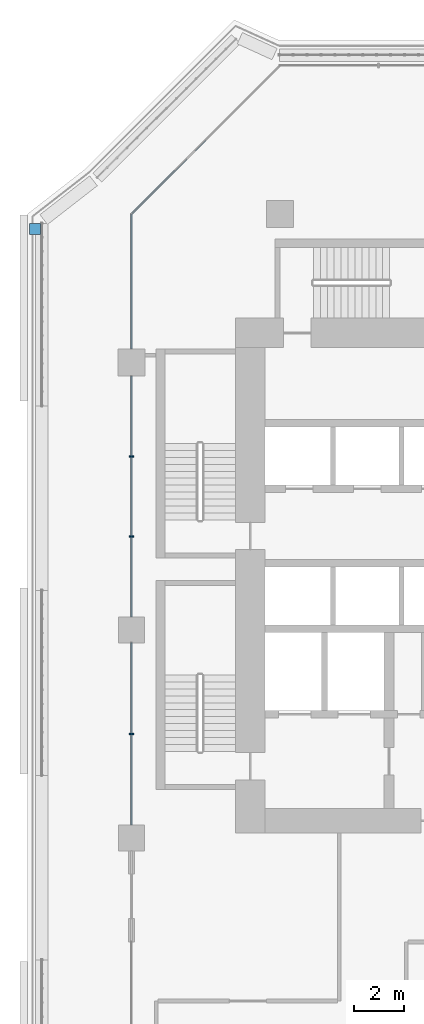
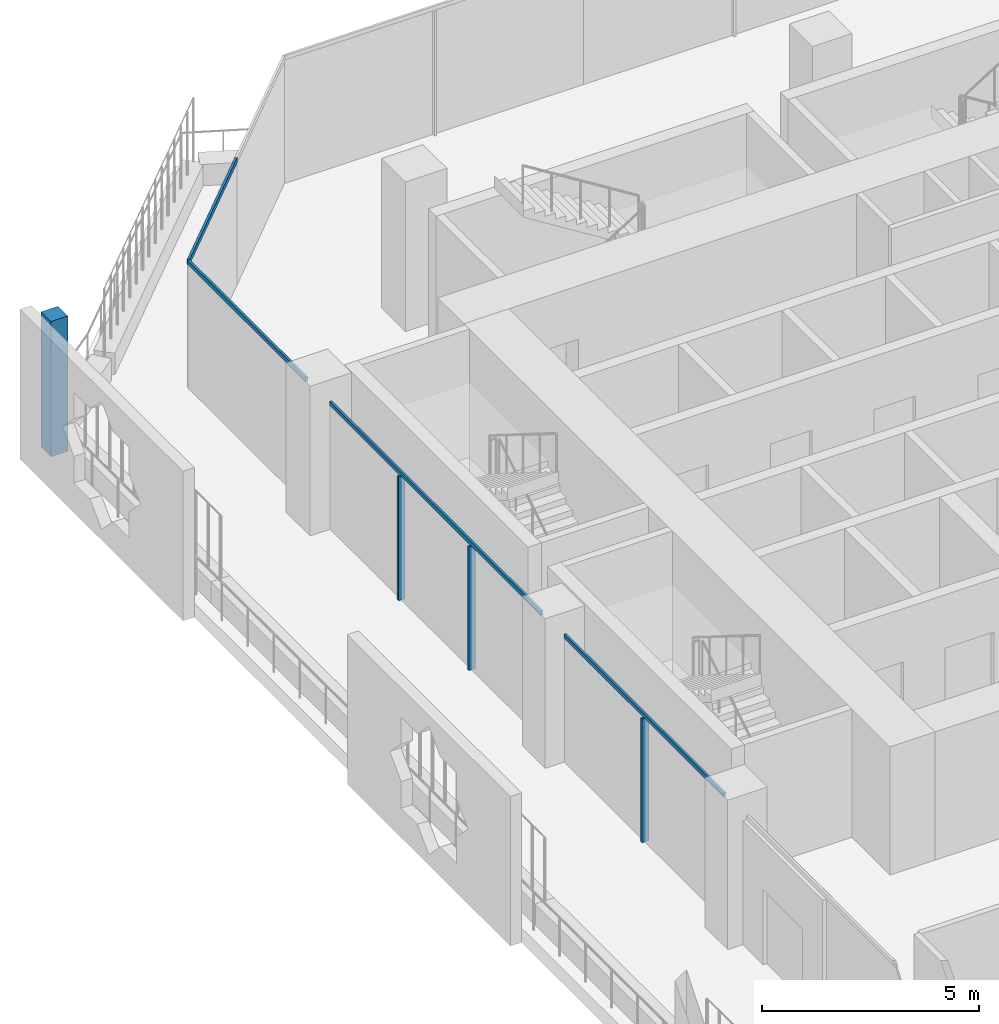
# One storey, part 5 of 25: 8 members, 3 elements without a shape of their own.
"""IFC4 building model written with IfcOpenShell, lengths in metres."""

from ifc_helpers import new_model, si_unit, direction, frame, origin, origin_2d, place, context, subcontext, project, spatial, rectangle, extrude, material, layer, layer_set, material_profile, profile_set, type_object, element, aggregate, save


model = new_model("IFC4")

# Units and contexts
model_context = context("Model", 3, precision=1e-05, world=origin(), true_north=direction((0.0, 1.0)))
body_context = subcontext(model_context, "Body", "Model", "MODEL_VIEW")
ifc_project = project(units=[si_unit("LENGTHUNIT", "METRE"), si_unit("AREAUNIT", "SQUARE_METRE"), si_unit("VOLUMEUNIT", "CUBIC_METRE"), si_unit("PLANEANGLEUNIT", "RADIAN"), si_unit("MASSUNIT", "GRAM", prefix="KILO")], contexts=[model_context])

# Site, building, storey
site_placement = place(None, origin())
site = spatial("IfcSite", under=ifc_project, at=site_placement, CompositionType="ELEMENT")
building_placement = place(site_placement, origin())
building = spatial("IfcBuilding", under=site, at=building_placement, Name="Kawkab Arch Medical Tower", CompositionType="ELEMENT")
storey_placement = place(building_placement, frame((0.0, 0.0, 128.199951171875)))
storey = spatial("IfcBuildingStorey", under=building, at=storey_placement, Name="L29", CompositionType="ELEMENT", Elevation=128.199951171875)

# Curtain wall, members
ifc_material_1 = material(Name="Bronze anodised aluminium curtain wall frame", Category="aluminium")
ifc_layer_1 = layer(ifc_material_1, 0.159912109375)
ifc_layer_set_1 = layer_set([ifc_layer_1], Name="Bronze anodised aluminium curtain wall frame")
curtain_wall_type_1 = type_object("IfcCurtainWallType", Name="CW1 ward curtain wall", PredefinedType="NOTDEFINED", material=ifc_layer_set_1)
placement = place(storey_placement, origin())
curtain_wall_1 = element("IfcCurtainWall", 1, at=placement, inside=storey, type_object=curtain_wall_type_1, Name="CW1 Ward curtain wall R01", PredefinedType="NOTDEFINED")
ifc_material_2 = material(Name="Bronze anodised aluminium curtain wall frame", Category="aluminium")
ifc_material_profile_1 = material_profile(ifc_material_2, rectangle(XDim=0.179931640625, YDim=0.06005859375, at=origin_2d()), Name="AL 60x180")
ifc_profile_set_1 = profile_set([ifc_material_profile_1], Name="Bronze anodised aluminium curtain wall frame")
member_type_1 = type_object("IfcMemberType", Name="CW1 mullion 60 x 180", PredefinedType="MULLION", material=ifc_profile_set_1)
member_1_placement = place(storey_placement, frame((0.0, -9.791748046875, 0.0), z_axis=(0.0, 0.0, 1.0), x_axis=(1.0, 0.0, 0.0)))
member_1 = element("IfcMember", 2, at=member_1_placement, type_object=member_type_1, Name="CW1 mullion 2.1", PredefinedType="MULLION", context=body_context, shape_type="SweptSolid", body=[
    extrude(rectangle(XDim=0.179931640625, YDim=0.06005859375, at=origin_2d()), origin(), (0.0, 0.0, 1.0), 3.47998046875),
])
member_2_placement = place(storey_placement, frame((0.0, -13.033447265625, 0.0), z_axis=(0.0, 0.0, 1.0), x_axis=(1.0, 0.0, 0.0)))
member_2 = element("IfcMember", 3, at=member_2_placement, type_object=member_type_1, Name="CW1 mullion 2.2", PredefinedType="MULLION", context=body_context, shape_type="SweptSolid", body=[
    extrude(rectangle(XDim=0.179931640625, YDim=0.06005859375, at=origin_2d()), origin(), (0.0, 0.0, 1.0), 3.47998046875),
])
member_3_placement = place(storey_placement, frame((0.0, -21.0, 0.0), z_axis=(0.0, 0.0, 1.0), x_axis=(1.0, 0.0, 0.0)))
member_3 = element("IfcMember", 4, at=member_3_placement, type_object=member_type_1, Name="CW1 mullion 3.1", PredefinedType="MULLION", context=body_context, shape_type="SweptSolid", body=[
    extrude(rectangle(XDim=0.179931640625, YDim=0.06005859375, at=origin_2d()), origin(), (0.0, 0.0, 1.0), 3.47998046875),
])
ifc_material_3 = material(Name="Bronze anodised aluminium curtain wall frame", Category="aluminium")
ifc_material_profile_2 = material_profile(ifc_material_3, rectangle(XDim=0.06005859375, YDim=0.1201171875, at=origin_2d()), Name="AL 60x120")
ifc_profile_set_2 = profile_set([ifc_material_profile_2], Name="Bronze anodised aluminium curtain wall frame")
member_type_2 = type_object("IfcMemberType", Name="CW1 transom 120 x 60", PredefinedType="USERDEFINED", material=ifc_profile_set_2)
member_4_placement = place(storey_placement, frame((0.0, 0.0, 3.5400390625), z_axis=(0.0, -1.0, 0.0), x_axis=(1.0, 0.0, 0.0)))
member_4 = element("IfcMember", 5, at=member_4_placement, type_object=member_type_2, Name="CW1 transom 1", ObjectType="TRANSOM", PredefinedType="USERDEFINED", context=body_context, shape_type="SweptSolid", body=[
    extrude(rectangle(XDim=0.06005859375, YDim=0.1201171875, at=origin_2d()), origin(), (0.0, 0.0, 1.0), 5.449951171875),
])
member_5_placement = place(storey_placement, frame((0.0, -6.550048828125, 3.5400390625), z_axis=(0.0, -1.0, 0.0), x_axis=(1.0, 0.0, 0.0)))
member_5 = element("IfcMember", 6, at=member_5_placement, type_object=member_type_2, Name="CW1 transom 2", ObjectType="TRANSOM", PredefinedType="USERDEFINED", context=body_context, shape_type="SweptSolid", body=[
    extrude(rectangle(XDim=0.06005859375, YDim=0.1201171875, at=origin_2d()), origin(), (0.0, 0.0, 1.0), 9.724853515625),
])
member_6_placement = place(storey_placement, frame((0.0, -17.324951171875, 3.5400390625), z_axis=(0.0, -1.0, 0.0), x_axis=(1.0, 0.0, 0.0)))
member_6 = element("IfcMember", 7, at=member_6_placement, type_object=member_type_2, Name="CW1 transom 3", ObjectType="TRANSOM", PredefinedType="USERDEFINED", context=body_context, shape_type="SweptSolid", body=[
    extrude(rectangle(XDim=0.06005859375, YDim=0.1201171875, at=origin_2d()), origin(), (0.0, 0.0, 1.0), 7.35009765625),
])
aggregate(curtain_wall_1, [member_4, member_5, member_1, member_2, member_6, member_3])

# Curtain wall, member
ifc_material_4 = material(Name="Bronze anodised aluminium curtain wall frame", Category="aluminium")
ifc_layer_2 = layer(ifc_material_4, 0.159912109375)
ifc_layer_set_2 = layer_set([ifc_layer_2], Name="Bronze anodised aluminium curtain wall frame")
curtain_wall_type_2 = type_object("IfcCurtainWallType", Name="CW2 chamfer curtain wall", PredefinedType="NOTDEFINED", material=ifc_layer_set_2)
curtain_wall_2 = element("IfcCurtainWall", 8, at=placement, inside=storey, type_object=curtain_wall_type_2, Name="CW2 Chamfer curtain wall R12", PredefinedType="NOTDEFINED")
ifc_material_5 = material(Name="Bronze anodised aluminium curtain wall frame", Category="aluminium")
ifc_material_profile_3 = material_profile(ifc_material_5, rectangle(XDim=0.06005859375, YDim=0.139892578125, at=origin_2d()), Name="AL 60x140")
ifc_profile_set_3 = profile_set([ifc_material_profile_3], Name="Bronze anodised aluminium curtain wall frame")
member_type_3 = type_object("IfcMemberType", Name="CW2 transom 140 x 60", PredefinedType="USERDEFINED", material=ifc_profile_set_3)
member_7_placement = place(storey_placement, frame((3.0, 3.0, 3.530029296875), z_axis=(-0.707106781187, -0.707106781187, 0.0), x_axis=(0.707106781187, -0.707106781187, 0.0)))
member_7 = element("IfcMember", 9, at=member_7_placement, type_object=member_type_3, Name="CW2 transom 2", ObjectType="TRANSOM", PredefinedType="USERDEFINED", context=body_context, shape_type="SweptSolid", body=[
    extrude(rectangle(XDim=0.06005859375, YDim=0.139892578125, at=origin_2d()), origin(), (0.0, 0.0, 1.0), 4.24267578125),
])
aggregate(curtain_wall_2, [member_7])

ifc_material_6 = material(Name="Bronze anodised aluminium climber frame, planted", Category="aluminium")
ifc_layer_3 = layer(ifc_material_6, 0.449951171875)
ifc_layer_set_3 = layer_set([ifc_layer_3], Name="Bronze anodised aluminium climber frame, planted")
curtain_wall_type_3 = type_object("IfcCurtainWallType", Name="Planted climber frame", PredefinedType="NOTDEFINED", material=ifc_layer_set_3)
curtain_wall_3 = element("IfcCurtainWall", 10, at=placement, inside=storey, type_object=curtain_wall_type_3, Name="Planted climber frame L29", PredefinedType="NOTDEFINED")
ifc_material_7 = material(Name="Bronze anodised aluminium climber frame, planted", Category="aluminium")
ifc_material_profile_4 = material_profile(ifc_material_7, rectangle(XDim=0.449951171875, YDim=0.449951171875, at=origin_2d()), Name="Post 450x450")
ifc_profile_set_4 = profile_set([ifc_material_profile_4], Name="Bronze anodised aluminium climber frame, planted")
member_type_4 = type_object("IfcMemberType", Name="Planted climber post 450 x 450", PredefinedType="MULLION", material=ifc_profile_set_4)
member_8_placement = place(storey_placement, frame((-3.89990234375, -0.596923828125, 0.0), z_axis=(0.0, 0.0, 1.0), x_axis=(1.0, 0.0, 0.0)))
member_8 = element("IfcMember", 11, at=member_8_placement, type_object=member_type_4, Name="Planted climber post L29.LOG-01-01.2", PredefinedType="MULLION", context=body_context, shape_type="SweptSolid", body=[
    extrude(rectangle(XDim=0.449951171875, YDim=0.449951171875, at=origin_2d()), origin(), (0.0, 0.0, 1.0), 3.800048828125),
])
aggregate(curtain_wall_3, [member_8])

save(model, "model.ifc")
